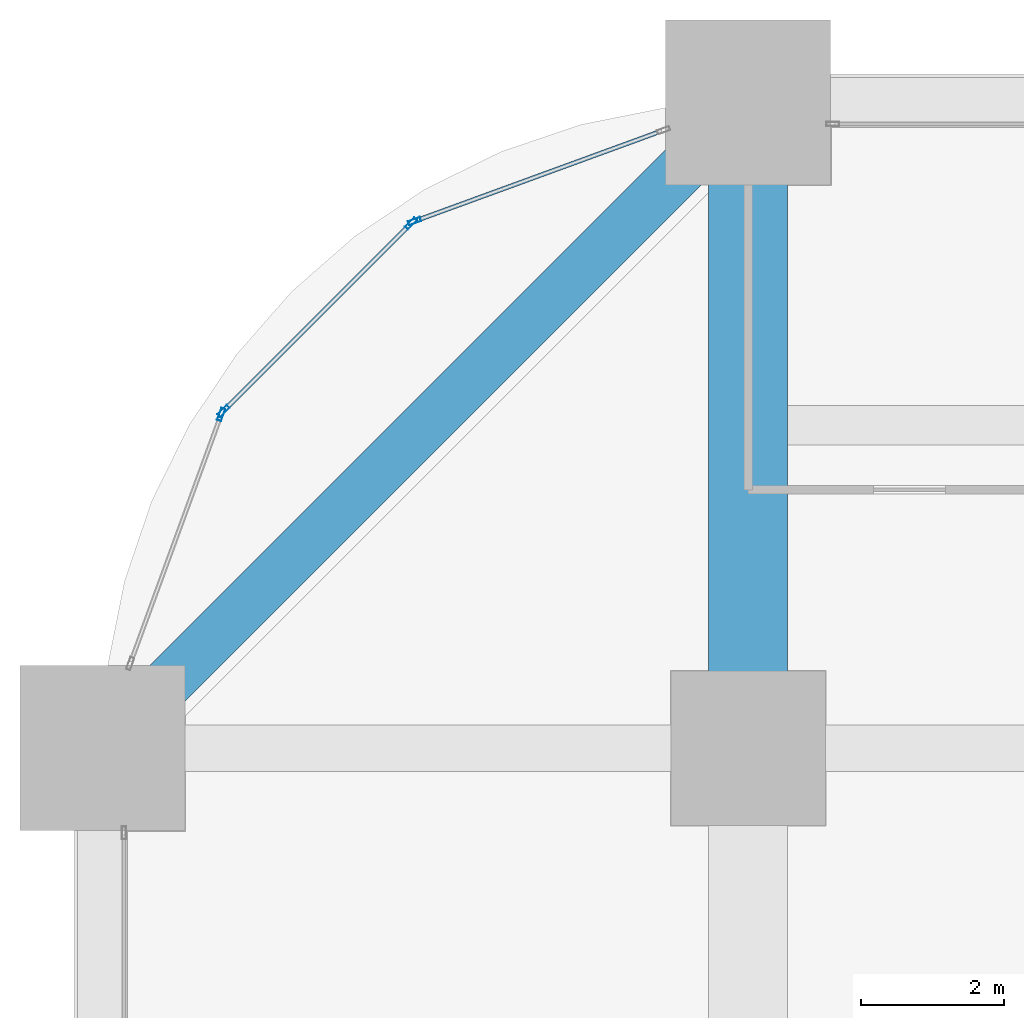
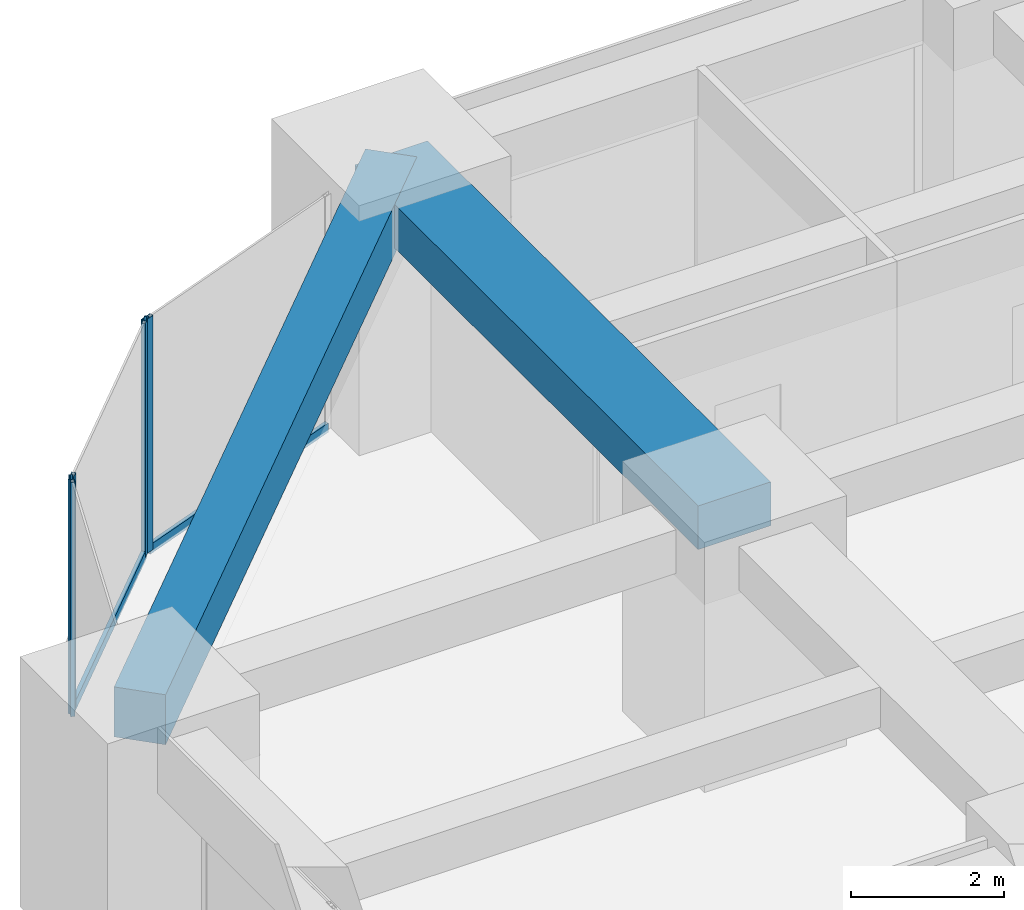
# One storey, part 27 of 44: 6 members, 2 beams, 3 elements without a shape of their own.
"""IFC4 building model written with IfcOpenShell, lengths in metres."""

from ifc_helpers import new_model, si_unit, direction, frame, origin, origin_2d, place, context, subcontext, project, spatial, rectangle, hollow_rectangle, extrude, material, material_profile, profile_set, type_object, element, aggregate, save


model = new_model("IFC4")

# Units and contexts
model_context = context("Model", 3, precision=1e-05, world=origin(), true_north=direction((0.0, 1.0)))
body_context = subcontext(model_context, "Body", "Model", "MODEL_VIEW")
ifc_project = project(units=[si_unit("LENGTHUNIT", "METRE"), si_unit("AREAUNIT", "SQUARE_METRE"), si_unit("VOLUMEUNIT", "CUBIC_METRE"), si_unit("PLANEANGLEUNIT", "RADIAN"), si_unit("MASSUNIT", "GRAM", prefix="KILO")], contexts=[model_context])

# Site, building, storey
site_placement = place(None, origin())
site = spatial("IfcSite", under=ifc_project, at=site_placement, CompositionType="ELEMENT")
building_placement = place(site_placement, origin())
building = spatial("IfcBuilding", under=site, at=building_placement, Name="Zorevar Civic Tower", CompositionType="ELEMENT")
storey_placement = place(building_placement, frame((0.0, 0.0, 55.800048828125)))
storey = spatial("IfcBuildingStorey", under=building, at=storey_placement, Name="L13", CompositionType="ELEMENT", Elevation=55.800048828125)

# Beam
ifc_material_1 = material(Name="Concrete C50/60", Category="concrete")
ifc_material_profile_1 = material_profile(ifc_material_1, rectangle(XDim=1.10009765625, YDim=0.699951171875, at=origin_2d()), Name="RC 1100x700")
ifc_profile_set_1 = profile_set([ifc_material_profile_1], Name="Concrete C50/60")
beam_type_1 = type_object("IfcBeamType", Name="Beam RC 1100x700", PredefinedType="BEAM", material=ifc_profile_set_1)
beam_1_placement = place(storey_placement, frame((9.0, 45.0, 3.39990234375), z_axis=(0.0, 1.0, 0.0), x_axis=(-1.0, 0.0, 0.0)))
element("IfcBeam", 1, at=beam_1_placement, inside=storey, type_object=beam_type_1, Name="Girder L14", PredefinedType="BEAM", context=body_context, shape_type="SweptSolid", body=[
    extrude(rectangle(XDim=1.10009765625, YDim=0.699951171875, at=origin_2d()), origin(), (0.0, 0.0, 1.0), 9.0),
])

# Curtain wall, member
ifc_material_2 = material(Name="Dark grey solar-control glass in black aluminium frame", Category="aluminium")
curtain_wall_type = type_object("IfcCurtainWallType", Name="Curtain wall CW2 low zone", PredefinedType="NOTDEFINED", material=ifc_material_2)
curtain_wall_1_placement = place(storey_placement, origin())
curtain_wall_1 = element("IfcCurtainWall", 2, at=curtain_wall_1_placement, inside=storey, type_object=curtain_wall_type, Name="CW2 L13", PredefinedType="NOTDEFINED")
ifc_material_3 = material(Name="Aluminium, black anodised", Category="aluminium")
ifc_material_profile_2 = material_profile(ifc_material_3, hollow_rectangle(XDim=0.06005859375, YDim=0.179931640625, WallThickness=0.00390625, at=origin_2d()), Name="AL 180x60x4")
ifc_profile_set_2 = profile_set([ifc_material_profile_2], Name="Aluminium, black anodised")
member_type_1 = type_object("IfcMemberType", Name="CW2 mullion AL 180x60x4", PredefinedType="MULLION", material=ifc_profile_set_2)
member_1_placement = place(storey_placement, frame((4.349609375, 52.34521484375, 0.0), z_axis=(0.0, 0.0, 1.0), x_axis=(0.343060400701, -0.939313345732, 0.0)))
member_1 = element("IfcMember", 3, at=member_1_placement, type_object=member_type_1, Name="CW2 mullion 2", PredefinedType="MULLION", context=body_context, shape_type="SweptSolid", body=[
    extrude(hollow_rectangle(XDim=0.06005859375, YDim=0.179931640625, WallThickness=0.00390625, at=origin_2d()), origin(), (0.0, 0.0, 1.0), 3.75),
])

# Curtain wall, members
curtain_wall_2_placement = place(storey_placement, origin())
curtain_wall_2 = element("IfcCurtainWall", 4, at=curtain_wall_2_placement, inside=storey, type_object=curtain_wall_type, Name="CW2 L13", PredefinedType="NOTDEFINED")
member_2_placement = place(storey_placement, frame((4.30029296875, 52.313720703125, 0.0), z_axis=(0.0, 0.0, 1.0), x_axis=(0.707106781187, -0.707106781187, 0.0)))
member_2 = element("IfcMember", 5, at=member_2_placement, type_object=member_type_1, Name="CW2 mullion 1", PredefinedType="MULLION", context=body_context, shape_type="SweptSolid", body=[
    extrude(hollow_rectangle(XDim=0.06005859375, YDim=0.179931640625, WallThickness=0.00390625, at=origin_2d()), origin(), (0.0, 0.0, 1.0), 3.75),
])
member_3_placement = place(storey_placement, frame((1.686279296875, 49.69970703125, 0.0), z_axis=(0.0, 0.0, 1.0), x_axis=(0.707106781187, -0.707106781187, 0.0)))
member_3 = element("IfcMember", 6, at=member_3_placement, type_object=member_type_1, Name="CW2 mullion 2", PredefinedType="MULLION", context=body_context, shape_type="SweptSolid", body=[
    extrude(hollow_rectangle(XDim=0.06005859375, YDim=0.179931640625, WallThickness=0.00390625, at=origin_2d()), origin(), (0.0, 0.0, 1.0), 3.75),
])

# Curtain wall, member
curtain_wall_3_placement = place(storey_placement, origin())
curtain_wall_3 = element("IfcCurtainWall", 7, at=curtain_wall_3_placement, inside=storey, type_object=curtain_wall_type, Name="CW2 L13", PredefinedType="NOTDEFINED")
member_4_placement = place(storey_placement, frame((1.65478515625, 49.650390625, 0.0), z_axis=(0.0, 0.0, 1.0), x_axis=(0.939313345732, -0.343060400701, 0.0)))
member_4 = element("IfcMember", 8, at=member_4_placement, type_object=member_type_1, Name="CW2 mullion 1", PredefinedType="MULLION", context=body_context, shape_type="SweptSolid", body=[
    extrude(hollow_rectangle(XDim=0.06005859375, YDim=0.179931640625, WallThickness=0.00390625, at=origin_2d()), origin(), (0.0, 0.0, 1.0), 3.75),
])
aggregate(curtain_wall_3, [member_4])

# Member
ifc_material_4 = material(Name="Aluminium, black anodised", Category="aluminium")
ifc_material_profile_3 = material_profile(ifc_material_4, hollow_rectangle(XDim=0.06005859375, YDim=0.14990234375, WallThickness=0.00390625, at=origin_2d()), Name="AL 150x60x4")
ifc_profile_set_3 = profile_set([ifc_material_profile_3], Name="Aluminium, black anodised")
member_type_2 = type_object("IfcMemberType", Name="CW2 transom AL 150x60x4", PredefinedType="USERDEFINED", material=ifc_profile_set_3)
member_5_placement = place(storey_placement, frame((7.793701171875, 53.60302734375, 0.030029296875), z_axis=(-0.939318180432, -0.343047162808, 0.0), x_axis=(0.343047162808, -0.939318180432, 0.0)))
member_5 = element("IfcMember", 9, at=member_5_placement, type_object=member_type_2, Name="CW2 sill transom", ObjectType="TRANSOM", PredefinedType="USERDEFINED", context=body_context, shape_type="SweptSolid", body=[
    extrude(hollow_rectangle(XDim=0.06005859375, YDim=0.14990234375, WallThickness=0.00390625, at=origin_2d()), origin(), (0.0, 0.0, 1.0), 3.63671875),
])

aggregate(curtain_wall_1, [member_1, member_5])

member_6_placement = place(storey_placement, frame((4.279052734375, 52.29248046875, 0.030029296875), z_axis=(-0.707106781187, -0.707106781187, 0.0), x_axis=(0.707106781187, -0.707106781187, 0.0)))
member_6 = element("IfcMember", 10, at=member_6_placement, type_object=member_type_2, Name="CW2 sill transom", ObjectType="TRANSOM", PredefinedType="USERDEFINED", context=body_context, shape_type="SweptSolid", body=[
    extrude(hollow_rectangle(XDim=0.06005859375, YDim=0.14990234375, WallThickness=0.00390625, at=origin_2d()), origin(), (0.0, 0.0, 1.0), 3.63671875),
])

aggregate(curtain_wall_2, [member_2, member_3, member_6])

# Beam
ifc_material_5 = material(Name="Concrete C50/60", Category="concrete")
ifc_material_profile_4 = material_profile(ifc_material_5, rectangle(XDim=0.699951171875, YDim=0.800048828125, at=origin_2d()), Name="RC 700x800")
ifc_profile_set_4 = profile_set([ifc_material_profile_4], Name="Concrete C50/60")
beam_type_2 = type_object("IfcBeamType", Name="Edge beam RC 700x800", PredefinedType="SPANDREL", material=ifc_profile_set_4)
beam_2_placement = place(storey_placement, frame((9.0, 54.0, 3.349853515625), z_axis=(-0.707106781187, -0.707106781187, 0.0), x_axis=(0.707106781187, -0.707106781187, 0.0)))
element("IfcBeam", 11, at=beam_2_placement, inside=storey, type_object=beam_type_2, Name="Corner edge beam L14", PredefinedType="SPANDREL", context=body_context, shape_type="SweptSolid", body=[
    extrude(rectangle(XDim=0.699951171875, YDim=0.800048828125, at=origin_2d()), origin(), (0.0, 0.0, 1.0), 12.72802734375),
])

save(model, "model.ifc")
